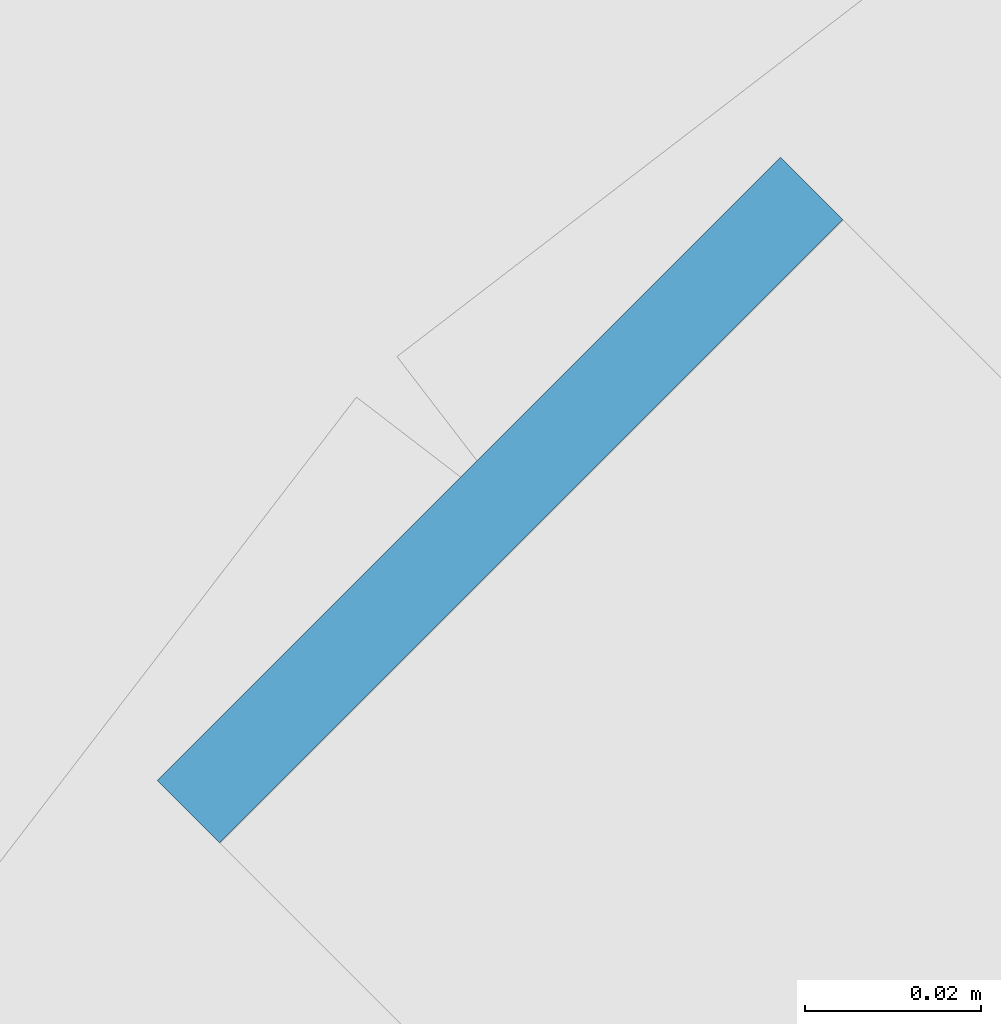
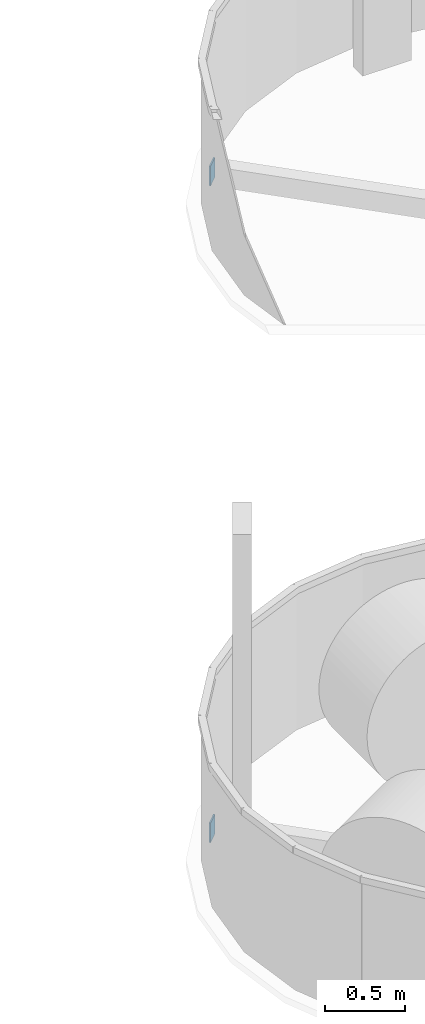
# One storey, part 20 of 25: 2 discrete accessories.
"""IFC4 building model written with IfcOpenShell, lengths in metres."""

from ifc_helpers import new_model, si_unit, direction, frame, origin, origin_2d, place, context, subcontext, project, spatial, rectangle, extrude, element, save


model = new_model("IFC4")

# Units and contexts
model_context = context("Model", 3, precision=1e-05, world=origin(), true_north=direction((0.0, 1.0)))
body_context = subcontext(model_context, "Body", "Model", "MODEL_VIEW")
ifc_project = project(units=[si_unit("LENGTHUNIT", "METRE"), si_unit("AREAUNIT", "SQUARE_METRE"), si_unit("VOLUMEUNIT", "CUBIC_METRE"), si_unit("PLANEANGLEUNIT", "RADIAN"), si_unit("MASSUNIT", "GRAM", prefix="KILO")], contexts=[model_context])

# Site, building, storey
site_placement = place(None, origin())
site = spatial("IfcSite", under=ifc_project, at=site_placement, CompositionType="ELEMENT")
building_placement = place(site_placement, origin())
building = spatial("IfcBuilding", under=site, at=building_placement, Name="Kolab Exchange Tower", CompositionType="ELEMENT")
storey_placement = place(building_placement, frame((0.0, 0.0, 301.89990234375)))
storey = spatial("IfcBuildingStorey", under=building, at=storey_placement, Name="L68", CompositionType="ELEMENT", Elevation=301.89990234375)

# Discrete accessories
for number, where, z_axis, x_axis, name in (
    (1, (-1.414306640625, 15.641845703125, 42.706298828125), (-0.707106781187, 0.707106781187, 0.0), (-0.707106781187, -0.707106781187, 0.0), "Mast platform arm cap plate"),
    (2, (-1.414306640625, 15.641845703125, 47.706298828125), (-0.707106781187, 0.707106781187, 0.0), (-0.707106781187, -0.707106781187, 0.0), "Mast platform arm cap plate"),
):
    element("IfcDiscreteAccessory", number, at=place(storey_placement, frame(where, z_axis=z_axis, x_axis=x_axis)), inside=storey, Name=name, ObjectType="END CAP PLATE", PredefinedType="USERDEFINED", context=body_context, shape_type="SweptSolid", body=[
        extrude(rectangle(XDim=0.10009765625, YDim=0.14990234375, at=origin_2d()), origin(), (0.0, 0.0, 1.0), 0.010009765625),
    ])

save(model, "model.ifc")
